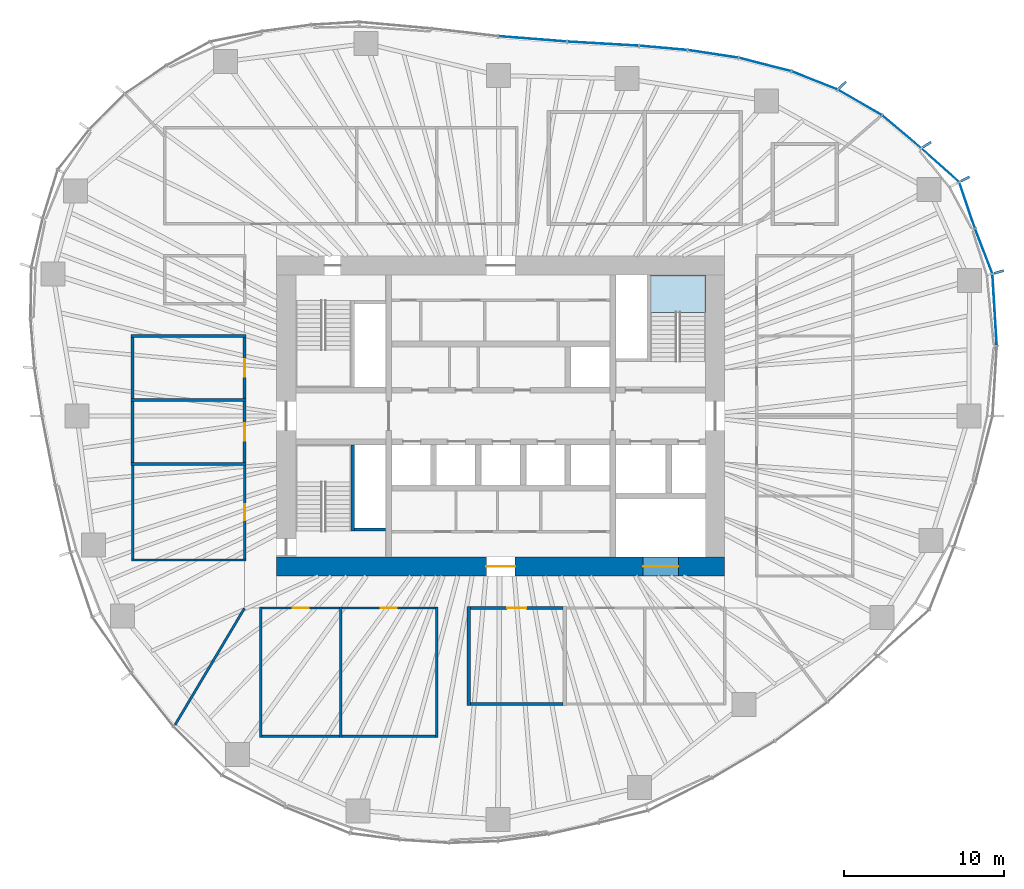
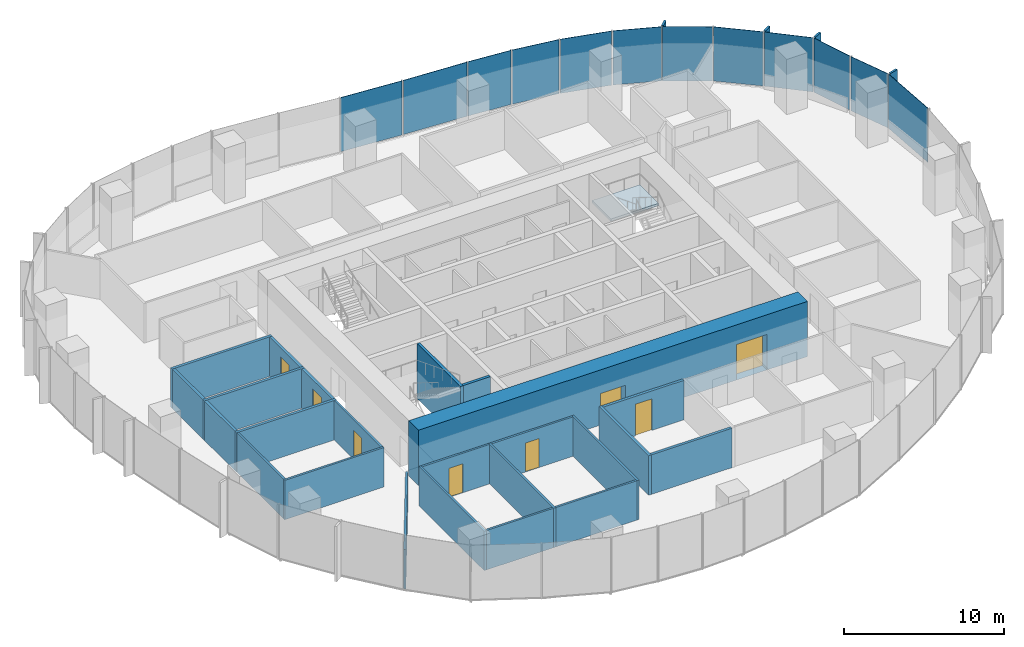
# One storey, part 8 of 18: 24 walls, 16 plates, 8 doors, 1 slab, 8 openings, 6 elements without a shape of their own.
"""IFC4 building model written with IfcOpenShell, lengths in metres."""

from ifc_helpers import new_model, si_unit, direction, frame, frame_2d, origin, origin_2d, place, context, subcontext, project, spatial, polyline, rectangle, outline, extrude, material, layer, layer_set, type_object, element, fill, aggregate, save


model = new_model("IFC4")

# Units and contexts
model_context = context("Model", 3, precision=1e-05, world=origin(), true_north=direction((0.0, 1.0)))
body_context = subcontext(model_context, "Body", "Model", "MODEL_VIEW")
ifc_project = project(units=[si_unit("LENGTHUNIT", "METRE"), si_unit("AREAUNIT", "SQUARE_METRE"), si_unit("VOLUMEUNIT", "CUBIC_METRE"), si_unit("PLANEANGLEUNIT", "RADIAN"), si_unit("MASSUNIT", "GRAM", prefix="KILO")], contexts=[model_context])

# Site, building, storey
site_placement = place(None, origin())
site = spatial("IfcSite", under=ifc_project, at=site_placement, CompositionType="ELEMENT")
building_placement = place(site_placement, origin())
building = spatial("IfcBuilding", under=site, at=building_placement, Name="Ghaith Harvest Tower", CompositionType="ELEMENT")
storey_placement = place(building_placement, frame((0.0, 0.0, 126.0)))
storey = spatial("IfcBuildingStorey", under=building, at=storey_placement, Name="L26", CompositionType="ELEMENT", Elevation=126.0)

# Curtain wall, plate
ifc_material_1 = material(Name="Black anodised aluminium and fritted glass", Category="aluminium")
curtain_wall_type = type_object("IfcCurtainWallType", Name="CW-L CURTAIN WALL", PredefinedType="NOTDEFINED", material=ifc_material_1)
curtain_wall_1_placement = place(storey_placement, origin())
curtain_wall_1 = element("IfcCurtainWall", 1, at=curtain_wall_1_placement, inside=storey, type_object=curtain_wall_type, Name="Curtain wall CW-L bay 01 L26", PredefinedType="NOTDEFINED")
ifc_material_2 = material(Name="Glass, dark solar-control fritted double glazed unit", Category="glass")
ifc_layer_1 = layer(ifc_material_2, 0.031982421875)
ifc_layer_set_1 = layer_set([ifc_layer_1], Name="CW-L VISION PANEL")
plate_type_1 = type_object("IfcPlateType", Name="CW-L VISION PANEL", PredefinedType="CURTAIN_PANEL", material=ifc_layer_set_1)
plate_1_placement = place(storey_placement, frame((30.863037109375, 6.63525390625, 0.079833984375), z_axis=(0.0, 0.0, 1.0), x_axis=(-0.060320650032, 0.998179051663, 0.0)))
plate_1 = element("IfcPlate", 2, at=plate_1_placement, type_object=plate_type_1, Name="CW-L glass unit 2 bay 01 L26", PredefinedType="CURTAIN_PANEL", context=body_context, shape_type="SweptSolid", body=[
    extrude(rectangle(XDim=4.419189453125, YDim=0.031982421875, at=origin_2d()), origin(), (0.0, 0.0, 1.0), 4.1201171875),
])
aggregate(curtain_wall_1, [plate_1])

# Curtain wall, plates
curtain_wall_2_placement = place(storey_placement, origin())
curtain_wall_2 = element("IfcCurtainWall", 3, at=curtain_wall_2_placement, inside=storey, type_object=curtain_wall_type, Name="Curtain wall CW-L bay 02 L26", PredefinedType="NOTDEFINED")
plate_2_placement = place(storey_placement, frame((30.180908203125, 10.29833984375, 0.079833984375), z_axis=(0.0, 0.0, 1.0), x_axis=(-0.359676824997, 0.933076943001, 0.0)))
plate_2 = element("IfcPlate", 4, at=plate_2_placement, type_object=plate_type_1, Name="CW-L glass unit 1 bay 02 L26", PredefinedType="CURTAIN_PANEL", context=body_context, shape_type="SweptSolid", body=[
    extrude(rectangle(XDim=2.95849609375, YDim=0.031982421875, at=origin_2d()), origin(), (0.0, 0.0, 1.0), 4.1201171875),
])
plate_3_placement = place(storey_placement, frame((29.142333984375, 13.163818359375, 0.079833984375), z_axis=(0.0, 0.0, 1.0), x_axis=(-0.321853304376, 0.946789549194, 0.0)))
plate_3 = element("IfcPlate", 5, at=plate_3_placement, type_object=plate_type_1, Name="CW-L glass unit 2 bay 02 L26", PredefinedType="CURTAIN_PANEL", context=body_context, shape_type="SweptSolid", body=[
    extrude(rectangle(XDim=2.978759765625, YDim=0.031982421875, at=origin_2d()), origin(), (0.0, 0.0, 1.0), 4.1201171875),
])
plate_4_placement = place(storey_placement, frame((27.46533203125, 15.668701171875, 0.079833984375), z_axis=(0.0, 0.0, 1.0), x_axis=(-0.746250544556, 0.665665174656, 0.0)))
plate_4 = element("IfcPlate", 6, at=plate_4_placement, type_object=plate_type_1, Name="CW-L glass unit 3 bay 02 L26", PredefinedType="CURTAIN_PANEL", context=body_context, shape_type="SweptSolid", body=[
    extrude(rectangle(XDim=3.094970703125, YDim=0.031982421875, at=origin_2d()), origin(), (0.0, 0.0, 1.0), 4.1201171875),
])
aggregate(curtain_wall_2, [plate_2, plate_3, plate_4])

curtain_wall_3_placement = place(storey_placement, origin())
curtain_wall_3 = element("IfcCurtainWall", 7, at=curtain_wall_3_placement, inside=storey, type_object=curtain_wall_type, Name="Curtain wall CW-L bay 03 L26", PredefinedType="NOTDEFINED")
plate_5_placement = place(storey_placement, frame((25.05126953125, 17.7587890625, 0.079833984375), z_axis=(0.0, 0.0, 1.0), x_axis=(-0.765473064857, 0.643467937801, 0.0)))
plate_5 = element("IfcPlate", 8, at=plate_5_placement, type_object=plate_type_1, Name="CW-L glass unit 1 bay 03 L26", PredefinedType="CURTAIN_PANEL", context=body_context, shape_type="SweptSolid", body=[
    extrude(rectangle(XDim=3.13232421875, YDim=0.031982421875, at=origin_2d()), origin(), (0.0, 0.0, 1.0), 4.1201171875),
])
plate_6_placement = place(storey_placement, frame((22.444091796875, 19.590576171875, 0.079833984375), z_axis=(0.0, 0.0, 1.0), x_axis=(-0.865232087993, 0.501371552751, 0.0)))
plate_6 = element("IfcPlate", 9, at=plate_6_placement, type_object=plate_type_1, Name="CW-L glass unit 2 bay 03 L26", PredefinedType="CURTAIN_PANEL", context=body_context, shape_type="SweptSolid", body=[
    extrude(rectangle(XDim=3.10498046875, YDim=0.031982421875, at=origin_2d()), origin(), (0.0, 0.0, 1.0), 4.1201171875),
])
plate_7_placement = place(storey_placement, frame((19.6142578125, 20.963623046875, 0.079833984375), z_axis=(0.0, 0.0, 1.0), x_axis=(-0.929876534019, 0.367871759558, 0.0)))
plate_7 = element("IfcPlate", 10, at=plate_7_placement, type_object=plate_type_1, Name="CW-L glass unit 3 bay 03 L26", PredefinedType="CURTAIN_PANEL", context=body_context, shape_type="SweptSolid", body=[
    extrude(rectangle(XDim=3.042724609375, YDim=0.031982421875, at=origin_2d()), origin(), (0.0, 0.0, 1.0), 4.1201171875),
])
aggregate(curtain_wall_3, [plate_5, plate_6, plate_7])

curtain_wall_4_placement = place(storey_placement, origin())
curtain_wall_4 = element("IfcCurtainWall", 11, at=curtain_wall_4_placement, inside=storey, type_object=curtain_wall_type, Name="Curtain wall CW-L bay 04 L26", PredefinedType="NOTDEFINED")
plate_8_placement = place(storey_placement, frame((16.513427734375, 21.958740234375, 0.079833984375), z_axis=(0.0, 0.0, 1.0), x_axis=(-0.96893110987, 0.247330758955, 0.0)))
plate_8 = element("IfcPlate", 12, at=plate_8_placement, type_object=plate_type_1, Name="CW-L glass unit 1 bay 04 L26", PredefinedType="CURTAIN_PANEL", context=body_context, shape_type="SweptSolid", body=[
    extrude(rectangle(XDim=3.3232421875, YDim=0.031982421875, at=origin_2d()), origin(), (0.0, 0.0, 1.0), 4.1201171875),
])
plate_9_placement = place(storey_placement, frame((13.2685546875, 22.621826171875, 0.079833984375), z_axis=(0.0, 0.0, 1.0), x_axis=(-0.988678736369, 0.150047846542, 0.0)))
plate_9 = element("IfcPlate", 13, at=plate_9_placement, type_object=plate_type_1, Name="CW-L glass unit 2 bay 04 L26", PredefinedType="CURTAIN_PANEL", context=body_context, shape_type="SweptSolid", body=[
    extrude(rectangle(XDim=3.14892578125, YDim=0.031982421875, at=origin_2d()), origin(), (0.0, 0.0, 1.0), 4.1201171875),
])
plate_10_placement = place(storey_placement, frame((10.15966796875, 22.9970703125, 0.079833984375), z_axis=(0.0, 0.0, 1.0), x_axis=(-0.996166190972, 0.087480969151, 0.0)))
plate_10 = element("IfcPlate", 14, at=plate_10_placement, type_object=plate_type_1, Name="CW-L glass unit 3 bay 04 L26", PredefinedType="CURTAIN_PANEL", context=body_context, shape_type="SweptSolid", body=[
    extrude(rectangle(XDim=2.957275390625, YDim=0.031982421875, at=origin_2d()), origin(), (0.0, 0.0, 1.0), 4.1201171875),
])
aggregate(curtain_wall_4, [plate_8, plate_9, plate_10])

curtain_wall_5_placement = place(storey_placement, origin())
curtain_wall_5 = element("IfcCurtainWall", 15, at=curtain_wall_5_placement, inside=storey, type_object=curtain_wall_type, Name="Curtain wall CW-L bay 05 L26", PredefinedType="NOTDEFINED")
plate_11_placement = place(storey_placement, frame((6.396728515625, 23.260498046875, 0.079833984375), z_axis=(0.0, 0.0, 1.0), x_axis=(-0.998320798751, 0.05792739233, 0.0)))
plate_11 = element("IfcPlate", 16, at=plate_11_placement, type_object=plate_type_1, Name="CW-L glass unit 1 bay 05 L26", PredefinedType="CURTAIN_PANEL", context=body_context, shape_type="SweptSolid", body=[
    extrude(rectangle(XDim=4.427734375, YDim=0.031982421875, at=origin_2d()), origin(), (0.0, 0.0, 1.0), 4.1201171875),
])
plate_12_placement = place(storey_placement, frame((1.9921875, 23.560302734375, 0.079833984375), z_axis=(0.0, 0.0, 1.0), x_axis=(-0.996925121312, 0.078360082291, 0.0)))
plate_12 = element("IfcPlate", 17, at=plate_12_placement, type_object=plate_type_1, Name="CW-L glass unit 2 bay 05 L26", PredefinedType="CURTAIN_PANEL", context=body_context, shape_type="SweptSolid", body=[
    extrude(rectangle(XDim=4.242431640625, YDim=0.031982421875, at=origin_2d()), origin(), (0.0, 0.0, 1.0), 4.1201171875),
])
aggregate(curtain_wall_5, [plate_11, plate_12])

# Stair, slab
ifc_material_3 = material(Name="Concrete C40/50, precast", Category="concrete")
stair_type = type_object("IfcStairType", Name="CORE STAIR 24R", PredefinedType="HALF_TURN_STAIR", material=ifc_material_3)
stair_placement = place(storey_placement, origin())
stair = element("IfcStair", 18, at=stair_placement, inside=storey, type_object=stair_type, Name="Stair ST2 L26", PredefinedType="HALF_TURN_STAIR")
ifc_material_4 = material(Name="Concrete C40/50, precast", Category="concrete")
ifc_layer_2 = layer(ifc_material_4, 0.179931640625)
ifc_layer_set_2 = layer_set([ifc_layer_2], Name="STAIR LANDING 180")
slab_type = type_object("IfcSlabType", Name="STAIR LANDING 180", PredefinedType="LANDING", material=ifc_layer_set_2)
slab_placement = place(storey_placement, frame((0.0, 0.0, 1.919921875)))
slab = element("IfcSlab", 19, at=slab_placement, type_object=slab_type, Name="ST2 landing 1", PredefinedType="LANDING", context=body_context, shape_type="SweptSolid", body=[
    extrude(outline(polyline([(12.800048828125, 6.4599609375), (12.800048828125, 8.800048828125), (9.35009765625, 8.800048828125), (9.35009765625, 6.4599609375), (12.800048828125, 6.4599609375)])), origin(), (0.0, 0.0, 1.0), 0.18017578125),
])
aggregate(stair, [slab])

# Plates
ifc_material_5 = material(Name="Glassfibre-reinforced concrete", Category="concrete")
ifc_layer_3 = layer(ifc_material_5, 0.14990234375)
ifc_layer_set_3 = layer_set([ifc_layer_3], Name="SUN-BREAKER FIN 600x150")
plate_type_2 = type_object("IfcPlateType", Name="SUN-BREAKER FIN 600x150", PredefinedType="USERDEFINED", material=ifc_layer_set_3)
for number, where, z_axis, x_axis, name in (
    (20, (31.130859375, 8.99755859375, 0.0), (0.0, 0.0, 1.0), (0.960680349985, 0.277656739792, 0.0), "Sun-breaker fin CW-L 1 bay 02 L26"),
    (21, (29.024169921875, 14.802734375, 0.0), (0.0, 0.0, 1.0), (0.890830752257, 0.454335306611, 0.0), "Sun-breaker fin CW-L 3 bay 02 L26"),
    (22, (26.635009765625, 16.95068359375, 0.0), (0.0, 0.0, 1.0), (0.843643971464, 0.536903016766, 0.0), "Sun-breaker fin CW-L 1 bay 03 L26"),
    (23, (21.367919921875, 20.68115234375, 0.0), (0.0, 0.0, 1.0), (0.7185589652, 0.69546604053, 0.0), "Sun-breaker fin CW-L 3 bay 03 L26"),
):
    element("IfcPlate", number, at=place(storey_placement, frame(where, z_axis=z_axis, x_axis=x_axis)), inside=storey, type_object=plate_type_2, Name=name, ObjectType="SUN-BREAKER FIN", PredefinedType="USERDEFINED", context=body_context, shape_type="SweptSolid", body=[
        extrude(rectangle(XDim=0.60009765625, YDim=0.14990234375, at=origin_2d()), origin(), (0.0, 0.0, 1.0), 4.199951171875),
    ])

# Wall
ifc_material_6 = material(Name="Twin-stud gypsum board, acoustic", Category="gypsum")
ifc_layer_4 = layer(ifc_material_6, 0.199951171875)
ifc_layer_set_4 = layer_set([ifc_layer_4], Name="ACOUSTIC PARTITION 200")
wall_type_1 = type_object("IfcWallType", Name="ACOUSTIC PARTITION 200", PredefinedType="PARTITIONING", material=ifc_layer_set_4)
wall_1_placement = place(storey_placement, frame((-2.0, -11.89990234375, 0.0), z_axis=(0.0, 0.0, 1.0), x_axis=(0.0, -1.0, 0.0)))
element("IfcWall", 24, at=wall_1_placement, inside=storey, type_object=wall_type_1, Name="Partition L26 row S5 cross wall 1", PredefinedType="PARTITIONING", context=body_context, shape_type="SweptSolid", body=[
    extrude(rectangle(XDim=6.2001953125, YDim=0.199951171875, at=frame_2d((3.10009765625, 0.0))), origin(), (0.0, 0.0, 1.0), 3.0),
])

# Wall, opening, door
wall_2_placement = place(storey_placement, frame((-1.89990234375, -12.0, 0.0), z_axis=(0.0, 0.0, 1.0), x_axis=(1.0, 0.0, 0.0)))
wall_2 = element("IfcWall", 25, at=wall_2_placement, inside=storey, type_object=wall_type_1, Name="Partition L26-12", PredefinedType="PARTITIONING", context=body_context, shape_type="SweptSolid", body=[
    extrude(rectangle(XDim=5.7998046875, YDim=0.199951171875, at=frame_2d((2.89990234375, 0.0))), origin(), (0.0, 0.0, 1.0), 3.0),
])
opening_1_placement = place(wall_2_placement, frame((2.300048828125, 0.0, 0.0)))
opening_1 = element("IfcOpeningElement", 26, at=opening_1_placement, cuts=wall_2, Name="Opening 26-039", PredefinedType="OPENING", context=body_context, shape_type="SweptSolid", body=[
    extrude(rectangle(XDim=1.199951171875, YDim=2.39990234375, at=frame_2d((0.60009765625, 1.199951171875))), frame((0.0, 0.10986328125, 0.0), z_axis=(0.0, -1.0, 0.0), x_axis=(1.0, 0.0, 0.0)), (0.0, 0.0, 1.0), 0.219970703125),
])
ifc_material_7 = material(Name="Timber door", Category="wood")
door_type_1 = type_object("IfcDoorType", Name="D11 GLAZED 1200x2400", OperationType="SINGLE_SWING_LEFT", PredefinedType="DOOR", material=ifc_material_7)
door_1_placement = place(opening_1_placement, origin())
door_1 = element("IfcDoor", 27, at=door_1_placement, inside=storey, type_object=door_type_1, Name="Meeting room door", OperationType="SINGLE_SWING_LEFT", OverallHeight=2.39990234375, OverallWidth=1.199951171875, PredefinedType="DOOR", context=body_context, shape_type="SweptSolid", body=[
    extrude(rectangle(XDim=1.199951171875, YDim=2.39990234375, at=frame_2d((0.60009765625, 1.199951171875))), frame((0.0, 0.02490234375, 0.0), z_axis=(0.0, -1.0, 0.0), x_axis=(1.0, 0.0, 0.0)), (0.0, 0.0, 1.0), 0.050048828125),
])
fill(opening_1, door_1)

# Walls
wall_3_placement = place(storey_placement, frame((-1.89990234375, -18.0, 0.0), z_axis=(0.0, 0.0, 1.0), x_axis=(1.0, 0.0, 0.0)))
element("IfcWall", 28, at=wall_3_placement, inside=storey, type_object=wall_type_1, Name="Partition L26-12", PredefinedType="PARTITIONING", context=body_context, shape_type="SweptSolid", body=[
    extrude(rectangle(XDim=5.7998046875, YDim=0.199951171875, at=frame_2d((2.89990234375, 0.0))), origin(), (0.0, 0.0, 1.0), 3.0),
])
for number, where, z_axis, x_axis, name in (
    (29, (-15.89990234375, -3.0, 0.0), (0.0, 0.0, 1.0), (-1.0, 0.0, 0.0), "Partition L26 row W6 cross wall 2"),
    (30, (-15.89990234375, 1.0, 0.0), (0.0, 0.0, 1.0), (-1.0, 0.0, 0.0), "Partition L26 row W6 cross wall 3"),
    (31, (-15.89990234375, 5.0, 0.0), (0.0, 0.0, 1.0), (-1.0, 0.0, 0.0), "Partition L26 row W6 cross wall 4"),
):
    element("IfcWall", number, at=place(storey_placement, frame(where, z_axis=z_axis, x_axis=x_axis)), inside=storey, type_object=wall_type_1, Name=name, PredefinedType="PARTITIONING", context=body_context, shape_type="SweptSolid", body=[
        extrude(rectangle(XDim=7.2001953125, YDim=0.199951171875, at=frame_2d((3.60009765625, 0.0))), origin(), (0.0, 0.0, 1.0), 3.0),
    ])

# Wall, opening, door
wall_4_placement = place(storey_placement, frame((-16.0, -2.89990234375, 0.0), z_axis=(0.0, 0.0, 1.0), x_axis=(0.0, 1.0, 0.0)))
wall_4 = element("IfcWall", 32, at=wall_4_placement, inside=storey, type_object=wall_type_1, Name="Partition L26-16", PredefinedType="PARTITIONING", context=body_context, shape_type="SweptSolid", body=[
    extrude(rectangle(XDim=3.7998046875, YDim=0.199951171875, at=frame_2d((1.89990234375, 0.0))), origin(), (0.0, 0.0, 1.0), 3.0),
])
opening_2_placement = place(wall_4_placement, frame((1.35009765625, 0.0, 0.0)))
opening_2 = element("IfcOpeningElement", 33, at=opening_2_placement, cuts=wall_4, Name="Opening 26-043", PredefinedType="OPENING", context=body_context, shape_type="SweptSolid", body=[
    extrude(rectangle(XDim=1.10009765625, YDim=2.300048828125, at=frame_2d((0.550048828125, 1.14990234375))), frame((0.0, 0.10986328125, 0.0), z_axis=(0.0, -1.0, 0.0), x_axis=(1.0, 0.0, 0.0)), (0.0, 0.0, 1.0), 0.219970703125),
])
ifc_material_8 = material(Name="Timber-framed glazed door", Category="wood")
door_type_2 = type_object("IfcDoorType", Name="D12 GLAZED OFFICE 1100x2300", OperationType="SINGLE_SWING_LEFT", PredefinedType="DOOR", material=ifc_material_8)
door_2_placement = place(opening_2_placement, origin())
door_2 = element("IfcDoor", 34, at=door_2_placement, inside=storey, type_object=door_type_2, Name="Quiet room door", OperationType="SINGLE_SWING_LEFT", OverallHeight=2.300048828125, OverallWidth=1.10009765625, PredefinedType="DOOR", context=body_context, shape_type="SweptSolid", body=[
    extrude(rectangle(XDim=1.10009765625, YDim=2.300048828125, at=frame_2d((0.550048828125, 1.14990234375))), frame((0.0, 0.02490234375, 0.0), z_axis=(0.0, -1.0, 0.0), x_axis=(1.0, 0.0, 0.0)), (0.0, 0.0, 1.0), 0.050048828125),
])
fill(opening_2, door_2)

# Wall
wall_5_placement = place(storey_placement, frame((-23.0, -2.89990234375, 0.0), z_axis=(0.0, 0.0, 1.0), x_axis=(0.0, 1.0, 0.0)))
element("IfcWall", 35, at=wall_5_placement, inside=storey, type_object=wall_type_1, Name="Partition L26-16", PredefinedType="PARTITIONING", context=body_context, shape_type="SweptSolid", body=[
    extrude(rectangle(XDim=3.7998046875, YDim=0.199951171875, at=frame_2d((1.89990234375, 0.0))), origin(), (0.0, 0.0, 1.0), 3.0),
])

# Wall, opening, door
wall_6_placement = place(storey_placement, frame((-16.0, 1.10009765625, 0.0), z_axis=(0.0, 0.0, 1.0), x_axis=(0.0, 1.0, 0.0)))
wall_6 = element("IfcWall", 36, at=wall_6_placement, inside=storey, type_object=wall_type_1, Name="Partition L26-17", PredefinedType="PARTITIONING", context=body_context, shape_type="SweptSolid", body=[
    extrude(rectangle(XDim=3.7998046875, YDim=0.199951171875, at=frame_2d((1.89990234375, 0.0))), origin(), (0.0, 0.0, 1.0), 3.0),
])
opening_3_placement = place(wall_6_placement, frame((1.35009765625, 0.0, 0.0)))
opening_3 = element("IfcOpeningElement", 37, at=opening_3_placement, cuts=wall_6, Name="Opening 26-044", PredefinedType="OPENING", context=body_context, shape_type="SweptSolid", body=[
    extrude(rectangle(XDim=1.10009765625, YDim=2.300048828125, at=frame_2d((0.550048828125, 1.14990234375))), frame((0.0, 0.10986328125, 0.0), z_axis=(0.0, -1.0, 0.0), x_axis=(1.0, 0.0, 0.0)), (0.0, 0.0, 1.0), 0.219970703125),
])
door_3_placement = place(opening_3_placement, origin())
door_3 = element("IfcDoor", 38, at=door_3_placement, inside=storey, type_object=door_type_2, Name="Quiet room door", OperationType="SINGLE_SWING_LEFT", OverallHeight=2.300048828125, OverallWidth=1.10009765625, PredefinedType="DOOR", context=body_context, shape_type="SweptSolid", body=[
    extrude(rectangle(XDim=1.10009765625, YDim=2.300048828125, at=frame_2d((0.550048828125, 1.14990234375))), frame((0.0, 0.02490234375, 0.0), z_axis=(0.0, -1.0, 0.0), x_axis=(1.0, 0.0, 0.0)), (0.0, 0.0, 1.0), 0.050048828125),
])
fill(opening_3, door_3)

# Wall
wall_7_placement = place(storey_placement, frame((-23.0, 1.10009765625, 0.0), z_axis=(0.0, 0.0, 1.0), x_axis=(0.0, 1.0, 0.0)))
element("IfcWall", 39, at=wall_7_placement, inside=storey, type_object=wall_type_1, Name="Partition L26-17", PredefinedType="PARTITIONING", context=body_context, shape_type="SweptSolid", body=[
    extrude(rectangle(XDim=3.7998046875, YDim=0.199951171875, at=frame_2d((1.89990234375, 0.0))), origin(), (0.0, 0.0, 1.0), 3.0),
])

# Wall, openings, doors
ifc_material_9 = material(Name="Concrete C60/75", Category="concrete")
ifc_layer_5 = layer(ifc_material_9, 1.199951171875)
ifc_layer_set_5 = layer_set([ifc_layer_5], Name="CORE WALL CW1200 C60")
wall_type_2 = type_object("IfcWallType", Name="CORE WALL CW1200 C60", PredefinedType="SHEAR", material=ifc_layer_set_5)
wall_8_placement = place(storey_placement, frame((-14.0, -9.39990234375, 0.0), z_axis=(0.0, 0.0, 1.0), x_axis=(1.0, 0.0, 0.0)))
wall_8 = element("IfcWall", 40, at=wall_8_placement, inside=storey, type_object=wall_type_2, Name="Core wall S L26", PredefinedType="SHEAR", context=body_context, shape_type="SweptSolid", body=[
    extrude(rectangle(XDim=28.0, YDim=1.199951171875, at=frame_2d((14.0, 0.0))), origin(), (0.0, 0.0, 1.0), 4.199951171875),
])
opening_4_placement = place(wall_8_placement, frame((13.10009765625, 0.0, 0.0)))
opening_4 = element("IfcOpeningElement", 41, at=opening_4_placement, cuts=wall_8, Name="Opening 26-020", PredefinedType="OPENING", context=body_context, shape_type="SweptSolid", body=[
    extrude(rectangle(XDim=1.800048828125, YDim=2.39990234375, at=frame_2d((0.89990234375, 1.199951171875))), frame((0.0, 0.60986328125, 0.0), z_axis=(0.0, -1.0, 0.0), x_axis=(1.0, 0.0, 0.0)), (0.0, 0.0, 1.0), 1.219970703125),
])
opening_5_placement = place(wall_8_placement, frame((22.89990234375, 0.0, 0.0)))
opening_5 = element("IfcOpeningElement", 42, at=opening_5_placement, cuts=wall_8, Name="Opening 26-027", PredefinedType="OPENING", context=body_context, shape_type="SweptSolid", body=[
    extrude(rectangle(XDim=2.199951171875, YDim=2.699951171875, at=frame_2d((1.10009765625, 1.35009765625))), frame((0.0, 0.60986328125, 0.0), z_axis=(0.0, -1.0, 0.0), x_axis=(1.0, 0.0, 0.0)), (0.0, 0.0, 1.0), 1.219970703125),
])
ifc_material_10 = material(Name="Steel fire door", Category="steel")
door_type_3 = type_object("IfcDoorType", Name="D4 FD90 PAIR 1800x2400", OperationType="DOUBLE_DOOR_SINGLE_SWING", PredefinedType="DOOR", material=ifc_material_10)
door_4_placement = place(opening_4_placement, origin())
door_4 = element("IfcDoor", 43, at=door_4_placement, inside=storey, type_object=door_type_3, Name="Core service corridor doors", OperationType="DOUBLE_DOOR_SINGLE_SWING", OverallHeight=2.39990234375, OverallWidth=1.800048828125, PredefinedType="DOOR", context=body_context, shape_type="SweptSolid", body=[
    extrude(rectangle(XDim=1.800048828125, YDim=2.39990234375, at=frame_2d((0.89990234375, 1.199951171875))), frame((0.0, 0.02490234375, 0.0), z_axis=(0.0, -1.0, 0.0), x_axis=(1.0, 0.0, 0.0)), (0.0, 0.0, 1.0), 0.050048828125),
])
fill(opening_4, door_4)
ifc_material_11 = material(Name="Steel fire door", Category="steel")
door_type_4 = type_object("IfcDoorType", Name="LD3 LANDING 2200x2700", OperationType="DOUBLE_DOOR_SLIDING", PredefinedType="DOOR", material=ifc_material_11)
door_5_placement = place(opening_5_placement, origin())
door_5 = element("IfcDoor", 44, at=door_5_placement, inside=storey, type_object=door_type_4, Name="Landing door, goods lift GL1", OperationType="DOUBLE_DOOR_SLIDING", OverallHeight=2.699951171875, OverallWidth=2.199951171875, PredefinedType="DOOR", context=body_context, shape_type="SweptSolid", body=[
    extrude(rectangle(XDim=2.199951171875, YDim=2.699951171875, at=frame_2d((1.10009765625, 1.35009765625))), frame((0.0, 0.02490234375, 0.0), z_axis=(0.0, -1.0, 0.0), x_axis=(1.0, 0.0, 0.0)), (0.0, 0.0, 1.0), 0.050048828125),
])
fill(opening_5, door_5)

# Walls
ifc_material_12 = material(Name="Gypsum board on steel studs", Category="steel")
ifc_layer_6 = layer(ifc_material_12, 0.14990234375)
ifc_layer_set_6 = layer_set([ifc_layer_6], Name="PARTITION 150")
wall_type_3 = type_object("IfcWallType", Name="PARTITION 150", PredefinedType="PARTITIONING", material=ifc_layer_set_6)
for number, where, z_axis, x_axis, name in (
    (45, (-15.0, -11.925048828125, 0.0), (0.0, 0.0, 1.0), (0.0, -1.0, 0.0), "Partition L26 row S4 cross wall 1"),
    (46, (-10.0, -11.925048828125, 0.0), (0.0, 0.0, 1.0), (0.0, -1.0, 0.0), "Partition L26 row S4 cross wall 2"),
    (47, (-4.0, -11.925048828125, 0.0), (0.0, 0.0, 1.0), (0.0, -1.0, 0.0), "Partition L26 row S4 cross wall 3"),
):
    element("IfcWall", number, at=place(storey_placement, frame(where, z_axis=z_axis, x_axis=x_axis)), inside=storey, type_object=wall_type_3, Name=name, PredefinedType="PARTITIONING", context=body_context, shape_type="SweptSolid", body=[
        extrude(rectangle(XDim=8.14990234375, YDim=0.14990234375, at=frame_2d((4.074951171875, 0.0))), origin(), (0.0, 0.0, 1.0), 3.0),
    ])

# Wall, opening, door
wall_9_placement = place(storey_placement, frame((-14.925048828125, -12.0, 0.0), z_axis=(0.0, 0.0, 1.0), x_axis=(1.0, 0.0, 0.0)))
wall_9 = element("IfcWall", 48, at=wall_9_placement, inside=storey, type_object=wall_type_3, Name="Partition L26-10", PredefinedType="PARTITIONING", context=body_context, shape_type="SweptSolid", body=[
    extrude(rectangle(XDim=4.85009765625, YDim=0.14990234375, at=frame_2d((2.425048828125, 0.0))), origin(), (0.0, 0.0, 1.0), 3.0),
])
opening_6_placement = place(wall_9_placement, frame((1.925048828125, 0.0, 0.0)))
opening_6 = element("IfcOpeningElement", 49, at=opening_6_placement, cuts=wall_9, Name="Opening 26-037", PredefinedType="OPENING", context=body_context, shape_type="SweptSolid", body=[
    extrude(rectangle(XDim=1.0, YDim=2.199951171875, at=frame_2d((0.5, 1.10009765625))), frame((0.0, 0.0849609375, 0.0), z_axis=(0.0, -1.0, 0.0), x_axis=(1.0, 0.0, 0.0)), (0.0, 0.0, 1.0), 0.169921875),
])
ifc_material_13 = material(Name="Timber door", Category="wood")
door_type_5 = type_object("IfcDoorType", Name="D1 SINGLE 1000x2200", OperationType="SINGLE_SWING_LEFT", PredefinedType="DOOR", material=ifc_material_13)
door_6_placement = place(opening_6_placement, origin())
door_6 = element("IfcDoor", 50, at=door_6_placement, inside=storey, type_object=door_type_5, Name="Store door", OperationType="SINGLE_SWING_LEFT", OverallHeight=2.199951171875, OverallWidth=1.0, PredefinedType="DOOR", context=body_context, shape_type="SweptSolid", body=[
    extrude(rectangle(XDim=1.0, YDim=2.199951171875, at=frame_2d((0.5, 1.10009765625))), frame((0.0, 0.02490234375, 0.0), z_axis=(0.0, -1.0, 0.0), x_axis=(1.0, 0.0, 0.0)), (0.0, 0.0, 1.0), 0.050048828125),
])
fill(opening_6, door_6)

# Wall
wall_10_placement = place(storey_placement, frame((-14.925048828125, -20.0, 0.0), z_axis=(0.0, 0.0, 1.0), x_axis=(1.0, 0.0, 0.0)))
element("IfcWall", 51, at=wall_10_placement, inside=storey, type_object=wall_type_3, Name="Partition L26-10", PredefinedType="PARTITIONING", context=body_context, shape_type="SweptSolid", body=[
    extrude(rectangle(XDim=4.85009765625, YDim=0.14990234375, at=frame_2d((2.425048828125, 0.0))), origin(), (0.0, 0.0, 1.0), 3.0),
])

# Wall, opening, door
wall_11_placement = place(storey_placement, frame((-9.925048828125, -12.0, 0.0), z_axis=(0.0, 0.0, 1.0), x_axis=(1.0, 0.0, 0.0)))
wall_11 = element("IfcWall", 52, at=wall_11_placement, inside=storey, type_object=wall_type_3, Name="Partition L26-11", PredefinedType="PARTITIONING", context=body_context, shape_type="SweptSolid", body=[
    extrude(rectangle(XDim=5.85009765625, YDim=0.14990234375, at=frame_2d((2.925048828125, 0.0))), origin(), (0.0, 0.0, 1.0), 3.0),
])
opening_7_placement = place(wall_11_placement, frame((2.425048828125, 0.0, 0.0)))
opening_7 = element("IfcOpeningElement", 53, at=opening_7_placement, cuts=wall_11, Name="Opening 26-038", PredefinedType="OPENING", context=body_context, shape_type="SweptSolid", body=[
    extrude(rectangle(XDim=1.0, YDim=2.199951171875, at=frame_2d((0.5, 1.10009765625))), frame((0.0, 0.0849609375, 0.0), z_axis=(0.0, -1.0, 0.0), x_axis=(1.0, 0.0, 0.0)), (0.0, 0.0, 1.0), 0.169921875),
])
door_7_placement = place(opening_7_placement, origin())
door_7 = element("IfcDoor", 54, at=door_7_placement, inside=storey, type_object=door_type_5, Name="Pantry door", OperationType="SINGLE_SWING_LEFT", OverallHeight=2.199951171875, OverallWidth=1.0, PredefinedType="DOOR", context=body_context, shape_type="SweptSolid", body=[
    extrude(rectangle(XDim=1.0, YDim=2.199951171875, at=frame_2d((0.5, 1.10009765625))), frame((0.0, 0.02490234375, 0.0), z_axis=(0.0, -1.0, 0.0), x_axis=(1.0, 0.0, 0.0)), (0.0, 0.0, 1.0), 0.050048828125),
])
fill(opening_7, door_7)

# Walls
wall_12_placement = place(storey_placement, frame((-9.925048828125, -20.0, 0.0), z_axis=(0.0, 0.0, 1.0), x_axis=(1.0, 0.0, 0.0)))
element("IfcWall", 55, at=wall_12_placement, inside=storey, type_object=wall_type_3, Name="Partition L26-11", PredefinedType="PARTITIONING", context=body_context, shape_type="SweptSolid", body=[
    extrude(rectangle(XDim=5.85009765625, YDim=0.14990234375, at=frame_2d((2.925048828125, 0.0))), origin(), (0.0, 0.0, 1.0), 3.0),
])
wall_13_placement = place(storey_placement, frame((-15.925048828125, -9.0, 0.0), z_axis=(0.0, 0.0, 1.0), x_axis=(-1.0, 0.0, 0.0)))
element("IfcWall", 56, at=wall_13_placement, inside=storey, type_object=wall_type_3, Name="Partition L26 row W6 cross wall 1", PredefinedType="PARTITIONING", context=body_context, shape_type="SweptSolid", body=[
    extrude(rectangle(XDim=7.14990234375, YDim=0.14990234375, at=frame_2d((3.574951171875, 0.0))), origin(), (0.0, 0.0, 1.0), 3.0),
])

# Wall, opening, door
wall_14_placement = place(storey_placement, frame((-16.0, -8.925048828125, 0.0), z_axis=(0.0, 0.0, 1.0), x_axis=(0.0, 1.0, 0.0)))
wall_14 = element("IfcWall", 57, at=wall_14_placement, inside=storey, type_object=wall_type_3, Name="Partition L26-15", PredefinedType="PARTITIONING", context=body_context, shape_type="SweptSolid", body=[
    extrude(rectangle(XDim=5.824951171875, YDim=0.14990234375, at=frame_2d((2.91259765625, 0.0))), origin(), (0.0, 0.0, 1.0), 3.0),
])
opening_8_placement = place(wall_14_placement, frame((2.41259765625, 0.0, 0.0)))
opening_8 = element("IfcOpeningElement", 58, at=opening_8_placement, cuts=wall_14, Name="Opening 26-042", PredefinedType="OPENING", context=body_context, shape_type="SweptSolid", body=[
    extrude(rectangle(XDim=1.0, YDim=2.199951171875, at=frame_2d((0.5, 1.10009765625))), frame((0.0, 0.0849609375, 0.0), z_axis=(0.0, -1.0, 0.0), x_axis=(1.0, 0.0, 0.0)), (0.0, 0.0, 1.0), 0.169921875),
])
door_8_placement = place(opening_8_placement, origin())
door_8 = element("IfcDoor", 59, at=door_8_placement, inside=storey, type_object=door_type_5, Name="Print room door", OperationType="SINGLE_SWING_LEFT", OverallHeight=2.199951171875, OverallWidth=1.0, PredefinedType="DOOR", context=body_context, shape_type="SweptSolid", body=[
    extrude(rectangle(XDim=1.0, YDim=2.199951171875, at=frame_2d((0.5, 1.10009765625))), frame((0.0, 0.02490234375, 0.0), z_axis=(0.0, -1.0, 0.0), x_axis=(1.0, 0.0, 0.0)), (0.0, 0.0, 1.0), 0.050048828125),
])
fill(opening_8, door_8)

# Walls
wall_15_placement = place(storey_placement, frame((-23.0, -8.925048828125, 0.0), z_axis=(0.0, 0.0, 1.0), x_axis=(0.0, 1.0, 0.0)))
element("IfcWall", 60, at=wall_15_placement, inside=storey, type_object=wall_type_3, Name="Partition L26-15", PredefinedType="PARTITIONING", context=body_context, shape_type="SweptSolid", body=[
    extrude(rectangle(XDim=5.824951171875, YDim=0.14990234375, at=frame_2d((2.91259765625, 0.0))), origin(), (0.0, 0.0, 1.0), 3.0),
])
wall_16_placement = place(storey_placement, frame((-16.01025390625, -12.01708984375, 0.0), z_axis=(0.0, 0.0, 1.0), x_axis=(-0.511508688443, -0.85927810495, 0.0)))
element("IfcWall", 61, at=wall_16_placement, inside=storey, type_object=wall_type_3, Name="Partition L26 zone division", PredefinedType="PARTITIONING", context=body_context, shape_type="SweptSolid", body=[
    extrude(rectangle(XDim=8.470458984375, YDim=0.14990234375, at=frame_2d((4.2353515625, 0.0))), origin(), (0.0, 0.0, 1.0), 3.0),
])
ifc_material_14 = material(Name="Concrete C40/50", Category="concrete")
ifc_layer_7 = layer(ifc_material_14, 0.199951171875)
ifc_layer_set_7 = layer_set([ifc_layer_7], Name="STAIR SPINE WALL RC200")
wall_type_4 = type_object("IfcWallType", Name="STAIR SPINE WALL RC200", PredefinedType="SOLIDWALL", material=ifc_layer_set_7)
wall_17_placement = place(storey_placement, frame((-9.25, -7.199951171875, 0.0), z_axis=(0.0, 0.0, 1.0), x_axis=(0.0, 1.0, 0.0)))
element("IfcWall", 62, at=wall_17_placement, inside=storey, type_object=wall_type_4, Name="Stair ST3 spine wall L26", PredefinedType="SOLIDWALL", context=body_context, shape_type="SweptSolid", body=[
    extrude(rectangle(XDim=5.39990234375, YDim=0.199951171875, at=frame_2d((2.699951171875, 0.0))), origin(), (0.0, 0.0, 1.0), 4.199951171875),
])
wall_18_placement = place(storey_placement, frame((-9.14990234375, -7.10009765625, 0.0), z_axis=(0.0, 0.0, 1.0), x_axis=(1.0, 0.0, 0.0)))
element("IfcWall", 63, at=wall_18_placement, inside=storey, type_object=wall_type_4, Name="Stair ST3 spine wall return L26", PredefinedType="SOLIDWALL", context=body_context, shape_type="SweptSolid", body=[
    extrude(rectangle(XDim=1.949951171875, YDim=0.199951171875, at=frame_2d((0.97509765625, 0.0))), origin(), (0.0, 0.0, 1.0), 4.199951171875),
])

save(model, "model.ifc")
